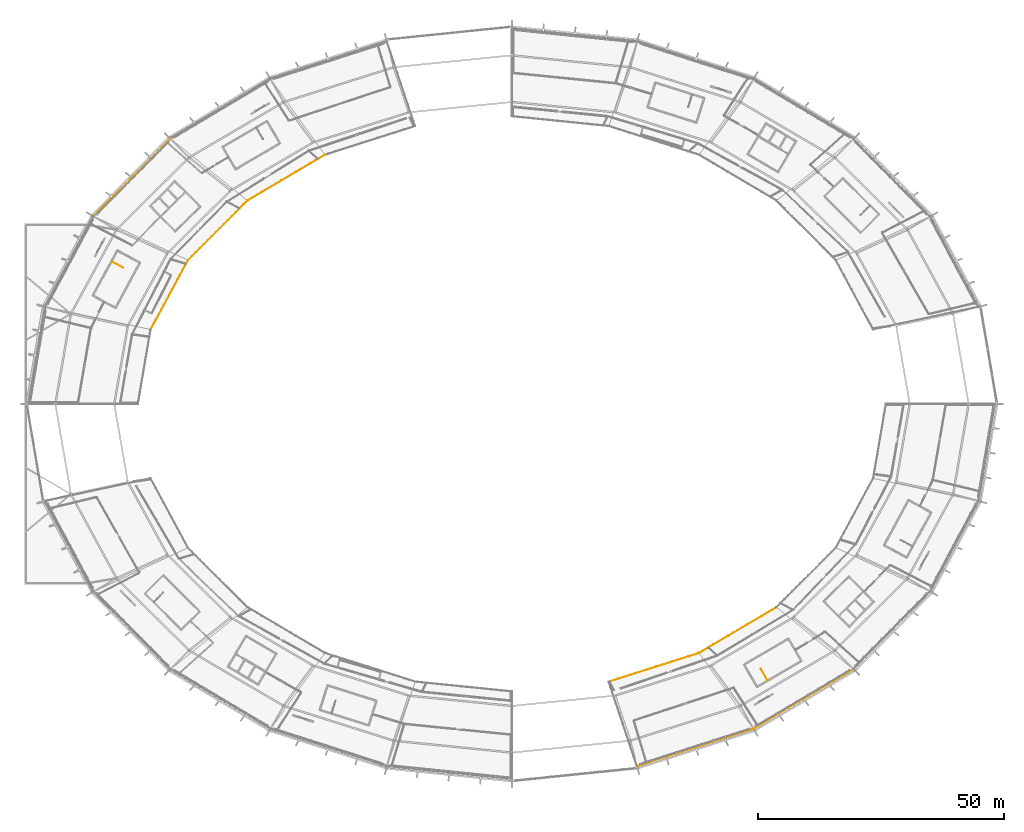
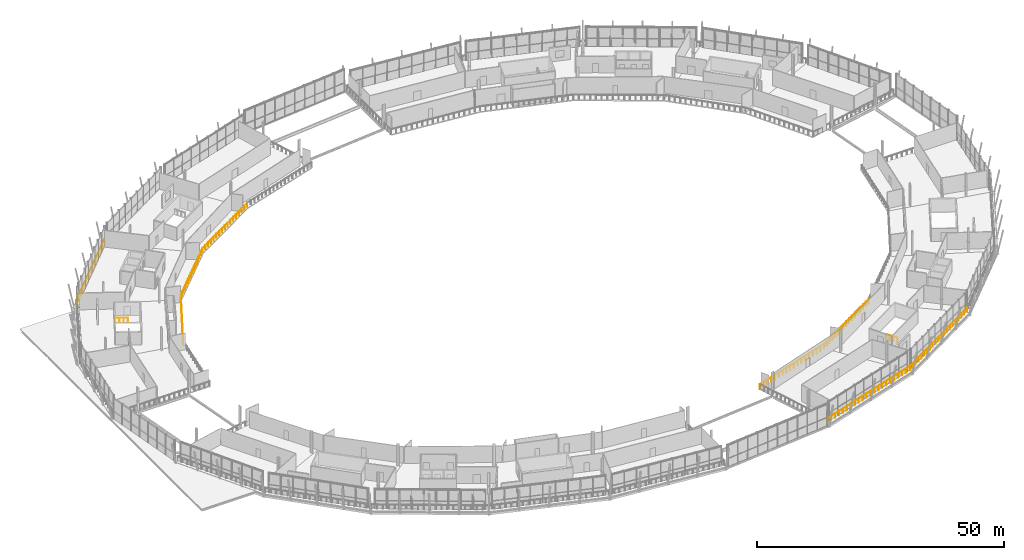
# One storey, part 95 of 99: 10 railings.
"""IFC4 building model written with IfcOpenShell, lengths in metres."""

from ifc_helpers import new_model, si_unit, direction, frame, origin, origin_2d, place, context, subcontext, project, spatial, rectangle, extrude, material, type_object, element, save


model = new_model("IFC4")

# Units and contexts
model_context = context("Model", 3, precision=1e-05, world=origin(), true_north=direction((0.0, 1.0)))
body_context = subcontext(model_context, "Body", "Model", "MODEL_VIEW")
ifc_project = project(units=[si_unit("LENGTHUNIT", "METRE"), si_unit("AREAUNIT", "SQUARE_METRE"), si_unit("VOLUMEUNIT", "CUBIC_METRE"), si_unit("PLANEANGLEUNIT", "RADIAN"), si_unit("MASSUNIT", "GRAM", prefix="KILO")], contexts=[model_context])

# Site, building, storey
site_placement = place(None, origin())
site = spatial("IfcSite", under=ifc_project, at=site_placement, CompositionType="ELEMENT")
building_placement = place(site_placement, origin())
building = spatial("IfcBuilding", under=site, at=building_placement, Name="Zlatoyarsky Gate Stadium", CompositionType="ELEMENT")
storey_placement = place(building_placement, frame((0.0, 0.0, 26.199951171875)))
storey = spatial("IfcBuildingStorey", under=building, at=storey_placement, Name="L05", CompositionType="ELEMENT", Elevation=26.199951171875)

# Railings
ifc_material_1 = material(Name="Powder-coated steel tubular guardrail", Category="steel")
railing_type_1 = type_object("IfcRailingType", Name="CONCOURSE SLAB EDGE GUARDRAIL 1200", PredefinedType="GUARDRAIL", material=ifc_material_1)
railing_1_placement = place(storey_placement, frame((72.909912109375, 130.731689453125, 0.0)))
element("IfcRailing", 1, at=railing_1_placement, inside=storey, type_object=railing_type_1, Name="L05 inner bowl edge guardrail 08", PredefinedType="GUARDRAIL", context=body_context, shape_type="SweptSolid", body=[
    extrude(rectangle(XDim=0.048095703125, YDim=0.048095703125, at=origin_2d()), frame((0.0, 0.0, 1.17578125), z_axis=(-0.861252692378, -0.508176937563, 0.0), x_axis=(0.508176937563, -0.861252692378, 0.0)), (0.0, 0.0, 1.0), 18.319091796875),
    extrude(rectangle(XDim=0.0419921875, YDim=0.0419921875, at=origin_2d()), origin(), (0.0, 0.0, 1.0), 1.15185546875),
    extrude(rectangle(XDim=0.0419921875, YDim=0.0419921875, at=origin_2d()), frame((-0.986083984375, -0.581787109375, 0.0)), (0.0, 0.0, 1.0), 1.15185546875),
    extrude(rectangle(XDim=0.0419921875, YDim=0.0419921875, at=origin_2d()), frame((-1.97216796875, -1.16357421875, 0.0)), (0.0, 0.0, 1.0), 1.15185546875),
    extrude(rectangle(XDim=0.0419921875, YDim=0.0419921875, at=origin_2d()), frame((-2.958251953125, -1.74560546875, 0.0)), (0.0, 0.0, 1.0), 1.15185546875),
    extrude(rectangle(XDim=0.0419921875, YDim=0.0419921875, at=origin_2d()), frame((-3.9443359375, -2.327392578125, 0.0)), (0.0, 0.0, 1.0), 1.15185546875),
    extrude(rectangle(XDim=0.0419921875, YDim=0.0419921875, at=origin_2d()), frame((-4.930419921875, -2.9091796875, 0.0)), (0.0, 0.0, 1.0), 1.15185546875),
    extrude(rectangle(XDim=0.0419921875, YDim=0.0419921875, at=origin_2d()), frame((-5.91650390625, -3.490966796875, 0.0)), (0.0, 0.0, 1.0), 1.15185546875),
    extrude(rectangle(XDim=0.0419921875, YDim=0.0419921875, at=origin_2d()), frame((-6.902587890625, -4.07275390625, 0.0)), (0.0, 0.0, 1.0), 1.15185546875),
    extrude(rectangle(XDim=0.0419921875, YDim=0.0419921875, at=origin_2d()), frame((-7.888671875, -4.65478515625, 0.0)), (0.0, 0.0, 1.0), 1.15185546875),
    extrude(rectangle(XDim=0.0419921875, YDim=0.0419921875, at=origin_2d()), frame((-8.874755859375, -5.236572265625, 0.0)), (0.0, 0.0, 1.0), 1.15185546875),
    extrude(rectangle(XDim=0.0419921875, YDim=0.0419921875, at=origin_2d()), frame((-9.86083984375, -5.818359375, 0.0)), (0.0, 0.0, 1.0), 1.15185546875),
    extrude(rectangle(XDim=0.0419921875, YDim=0.0419921875, at=origin_2d()), frame((-10.846923828125, -6.400146484375, 0.0)), (0.0, 0.0, 1.0), 1.15185546875),
    extrude(rectangle(XDim=0.0419921875, YDim=0.0419921875, at=origin_2d()), frame((-11.8330078125, -6.98193359375, 0.0)), (0.0, 0.0, 1.0), 1.15185546875),
    extrude(rectangle(XDim=0.0419921875, YDim=0.0419921875, at=origin_2d()), frame((-12.819091796875, -7.563720703125, 0.0)), (0.0, 0.0, 1.0), 1.15185546875),
    extrude(rectangle(XDim=0.0419921875, YDim=0.0419921875, at=origin_2d()), frame((-13.80517578125, -8.145751953125, 0.0)), (0.0, 0.0, 1.0), 1.15185546875),
    extrude(rectangle(XDim=0.0419921875, YDim=0.0419921875, at=origin_2d()), frame((-14.791259765625, -8.7275390625, 0.0)), (0.0, 0.0, 1.0), 1.15185546875),
    extrude(rectangle(XDim=0.0419921875, YDim=0.0419921875, at=origin_2d()), frame((-15.77734375, -9.309326171875, 0.0)), (0.0, 0.0, 1.0), 1.15185546875),
])
railing_2_placement = place(storey_placement, frame((57.132568359375, 121.42236328125, 0.0)))
element("IfcRailing", 2, at=railing_2_placement, inside=storey, type_object=railing_type_1, Name="L05 inner bowl edge guardrail 09", PredefinedType="GUARDRAIL", context=body_context, shape_type="SweptSolid", body=[
    extrude(rectangle(XDim=0.048095703125, YDim=0.048095703125, at=origin_2d()), frame((0.0, 0.0, 1.17578125), z_axis=(-0.706351424842, -0.707861331493, 0.0), x_axis=(0.707861331493, -0.706351424842, 0.0)), (0.0, 0.0, 1.0), 17.139404296875),
    extrude(rectangle(XDim=0.0419921875, YDim=0.0419921875, at=origin_2d()), origin(), (0.0, 0.0, 1.0), 1.15185546875),
    extrude(rectangle(XDim=0.0419921875, YDim=0.0419921875, at=origin_2d()), frame((-0.80712890625, -0.808837890625, 0.0)), (0.0, 0.0, 1.0), 1.15185546875),
    extrude(rectangle(XDim=0.0419921875, YDim=0.0419921875, at=origin_2d()), frame((-1.6142578125, -1.61767578125, 0.0)), (0.0, 0.0, 1.0), 1.15185546875),
    extrude(rectangle(XDim=0.0419921875, YDim=0.0419921875, at=origin_2d()), frame((-2.42138671875, -2.426513671875, 0.0)), (0.0, 0.0, 1.0), 1.15185546875),
    extrude(rectangle(XDim=0.0419921875, YDim=0.0419921875, at=origin_2d()), frame((-3.228271484375, -3.2353515625, 0.0)), (0.0, 0.0, 1.0), 1.15185546875),
    extrude(rectangle(XDim=0.0419921875, YDim=0.0419921875, at=origin_2d()), frame((-4.035400390625, -4.044189453125, 0.0)), (0.0, 0.0, 1.0), 1.15185546875),
    extrude(rectangle(XDim=0.0419921875, YDim=0.0419921875, at=origin_2d()), frame((-4.842529296875, -4.85302734375, 0.0)), (0.0, 0.0, 1.0), 1.15185546875),
    extrude(rectangle(XDim=0.0419921875, YDim=0.0419921875, at=origin_2d()), frame((-5.649658203125, -5.661865234375, 0.0)), (0.0, 0.0, 1.0), 1.15185546875),
    extrude(rectangle(XDim=0.0419921875, YDim=0.0419921875, at=origin_2d()), frame((-6.456787109375, -6.470458984375, 0.0)), (0.0, 0.0, 1.0), 1.15185546875),
    extrude(rectangle(XDim=0.0419921875, YDim=0.0419921875, at=origin_2d()), frame((-7.263916015625, -7.279296875, 0.0)), (0.0, 0.0, 1.0), 1.15185546875),
    extrude(rectangle(XDim=0.0419921875, YDim=0.0419921875, at=origin_2d()), frame((-8.071044921875, -8.088134765625, 0.0)), (0.0, 0.0, 1.0), 1.15185546875),
    extrude(rectangle(XDim=0.0419921875, YDim=0.0419921875, at=origin_2d()), frame((-8.878173828125, -8.89697265625, 0.0)), (0.0, 0.0, 1.0), 1.15185546875),
    extrude(rectangle(XDim=0.0419921875, YDim=0.0419921875, at=origin_2d()), frame((-9.68505859375, -9.705810546875, 0.0)), (0.0, 0.0, 1.0), 1.15185546875),
    extrude(rectangle(XDim=0.0419921875, YDim=0.0419921875, at=origin_2d()), frame((-10.4921875, -10.5146484375, 0.0)), (0.0, 0.0, 1.0), 1.15185546875),
    extrude(rectangle(XDim=0.0419921875, YDim=0.0419921875, at=origin_2d()), frame((-11.29931640625, -11.323486328125, 0.0)), (0.0, 0.0, 1.0), 1.15185546875),
    extrude(rectangle(XDim=0.0419921875, YDim=0.0419921875, at=origin_2d()), frame((-12.1064453125, -12.13232421875, 0.0)), (0.0, 0.0, 1.0), 1.15185546875),
])
railing_3_placement = place(storey_placement, frame((45.026123046875, 109.2900390625, 0.0)))
element("IfcRailing", 3, at=railing_3_placement, inside=storey, type_object=railing_type_1, Name="L05 inner bowl edge guardrail 10", PredefinedType="GUARDRAIL", context=body_context, shape_type="SweptSolid", body=[
    extrude(rectangle(XDim=0.048095703125, YDim=0.048095703125, at=origin_2d()), frame((0.0, 0.0, 1.17578125), z_axis=(-0.474232271998, -0.880399768398, 0.0), x_axis=(0.880399768398, -0.474232271998, 0.0)), (0.0, 0.0, 1.0), 16.0478515625),
    extrude(rectangle(XDim=0.0419921875, YDim=0.0419921875, at=origin_2d()), origin(), (0.0, 0.0, 1.0), 1.15185546875),
    extrude(rectangle(XDim=0.0419921875, YDim=0.0419921875, at=origin_2d()), frame((-0.543701171875, -1.00927734375, 0.0)), (0.0, 0.0, 1.0), 1.15185546875),
    extrude(rectangle(XDim=0.0419921875, YDim=0.0419921875, at=origin_2d()), frame((-1.087158203125, -2.018310546875, 0.0)), (0.0, 0.0, 1.0), 1.15185546875),
    extrude(rectangle(XDim=0.0419921875, YDim=0.0419921875, at=origin_2d()), frame((-1.630859375, -3.027587890625, 0.0)), (0.0, 0.0, 1.0), 1.15185546875),
    extrude(rectangle(XDim=0.0419921875, YDim=0.0419921875, at=origin_2d()), frame((-2.17431640625, -4.03662109375, 0.0)), (0.0, 0.0, 1.0), 1.15185546875),
    extrude(rectangle(XDim=0.0419921875, YDim=0.0419921875, at=origin_2d()), frame((-2.718017578125, -5.0458984375, 0.0)), (0.0, 0.0, 1.0), 1.15185546875),
    extrude(rectangle(XDim=0.0419921875, YDim=0.0419921875, at=origin_2d()), frame((-3.261474609375, -6.054931640625, 0.0)), (0.0, 0.0, 1.0), 1.15185546875),
    extrude(rectangle(XDim=0.0419921875, YDim=0.0419921875, at=origin_2d()), frame((-3.80517578125, -7.064208984375, 0.0)), (0.0, 0.0, 1.0), 1.15185546875),
    extrude(rectangle(XDim=0.0419921875, YDim=0.0419921875, at=origin_2d()), frame((-4.348876953125, -8.073486328125, 0.0)), (0.0, 0.0, 1.0), 1.15185546875),
    extrude(rectangle(XDim=0.0419921875, YDim=0.0419921875, at=origin_2d()), frame((-4.892333984375, -9.08251953125, 0.0)), (0.0, 0.0, 1.0), 1.15185546875),
    extrude(rectangle(XDim=0.0419921875, YDim=0.0419921875, at=origin_2d()), frame((-5.43603515625, -10.091796875, 0.0)), (0.0, 0.0, 1.0), 1.15185546875),
    extrude(rectangle(XDim=0.0419921875, YDim=0.0419921875, at=origin_2d()), frame((-5.9794921875, -11.100830078125, 0.0)), (0.0, 0.0, 1.0), 1.15185546875),
    extrude(rectangle(XDim=0.0419921875, YDim=0.0419921875, at=origin_2d()), frame((-6.523193359375, -12.110107421875, 0.0)), (0.0, 0.0, 1.0), 1.15185546875),
    extrude(rectangle(XDim=0.0419921875, YDim=0.0419921875, at=origin_2d()), frame((-7.066650390625, -13.119140625, 0.0)), (0.0, 0.0, 1.0), 1.15185546875),
    extrude(rectangle(XDim=0.0419921875, YDim=0.0419921875, at=origin_2d()), frame((-7.6103515625, -14.12841796875, 0.0)), (0.0, 0.0, 1.0), 1.15185546875),
])
railing_4_placement = place(storey_placement, frame((130.716796875, 23.416015625, 0.0)))
element("IfcRailing", 4, at=railing_4_placement, inside=storey, type_object=railing_type_1, Name="L05 inner bowl edge guardrail 19", PredefinedType="GUARDRAIL", context=body_context, shape_type="SweptSolid", body=[
    extrude(rectangle(XDim=0.048095703125, YDim=0.048095703125, at=origin_2d()), frame((0.0, 0.0, 1.17578125), z_axis=(0.952832118887, 0.303497863612, 0.0), x_axis=(-0.303497863612, 0.952832118887, 0.0)), (0.0, 0.0, 1.0), 19.28271484375),
    extrude(rectangle(XDim=0.0419921875, YDim=0.0419921875, at=origin_2d()), origin(), (0.0, 0.0, 1.0), 1.15185546875),
    extrude(rectangle(XDim=0.0419921875, YDim=0.0419921875, at=origin_2d()), frame((1.080810546875, 0.34423828125, 0.0)), (0.0, 0.0, 1.0), 1.15185546875),
    extrude(rectangle(XDim=0.0419921875, YDim=0.0419921875, at=origin_2d()), frame((2.16162109375, 0.6884765625, 0.0)), (0.0, 0.0, 1.0), 1.15185546875),
    extrude(rectangle(XDim=0.0419921875, YDim=0.0419921875, at=origin_2d()), frame((3.242431640625, 1.03271484375, 0.0)), (0.0, 0.0, 1.0), 1.15185546875),
    extrude(rectangle(XDim=0.0419921875, YDim=0.0419921875, at=origin_2d()), frame((4.3232421875, 1.376953125, 0.0)), (0.0, 0.0, 1.0), 1.15185546875),
    extrude(rectangle(XDim=0.0419921875, YDim=0.0419921875, at=origin_2d()), frame((5.40380859375, 1.72119140625, 0.0)), (0.0, 0.0, 1.0), 1.15185546875),
    extrude(rectangle(XDim=0.0419921875, YDim=0.0419921875, at=origin_2d()), frame((6.484619140625, 2.0654296875, 0.0)), (0.0, 0.0, 1.0), 1.15185546875),
    extrude(rectangle(XDim=0.0419921875, YDim=0.0419921875, at=origin_2d()), frame((7.5654296875, 2.40966796875, 0.0)), (0.0, 0.0, 1.0), 1.15185546875),
    extrude(rectangle(XDim=0.0419921875, YDim=0.0419921875, at=origin_2d()), frame((8.646240234375, 2.75390625, 0.0)), (0.0, 0.0, 1.0), 1.15185546875),
    extrude(rectangle(XDim=0.0419921875, YDim=0.0419921875, at=origin_2d()), frame((9.72705078125, 3.098388671875, 0.0)), (0.0, 0.0, 1.0), 1.15185546875),
    extrude(rectangle(XDim=0.0419921875, YDim=0.0419921875, at=origin_2d()), frame((10.807861328125, 3.442626953125, 0.0)), (0.0, 0.0, 1.0), 1.15185546875),
    extrude(rectangle(XDim=0.0419921875, YDim=0.0419921875, at=origin_2d()), frame((11.888671875, 3.786865234375, 0.0)), (0.0, 0.0, 1.0), 1.15185546875),
    extrude(rectangle(XDim=0.0419921875, YDim=0.0419921875, at=origin_2d()), frame((12.969482421875, 4.131103515625, 0.0)), (0.0, 0.0, 1.0), 1.15185546875),
    extrude(rectangle(XDim=0.0419921875, YDim=0.0419921875, at=origin_2d()), frame((14.050048828125, 4.475341796875, 0.0)), (0.0, 0.0, 1.0), 1.15185546875),
    extrude(rectangle(XDim=0.0419921875, YDim=0.0419921875, at=origin_2d()), frame((15.130859375, 4.819580078125, 0.0)), (0.0, 0.0, 1.0), 1.15185546875),
    extrude(rectangle(XDim=0.0419921875, YDim=0.0419921875, at=origin_2d()), frame((16.211669921875, 5.163818359375, 0.0)), (0.0, 0.0, 1.0), 1.15185546875),
    extrude(rectangle(XDim=0.0419921875, YDim=0.0419921875, at=origin_2d()), frame((17.29248046875, 5.508056640625, 0.0)), (0.0, 0.0, 1.0), 1.15185546875),
    extrude(rectangle(XDim=0.0419921875, YDim=0.0419921875, at=origin_2d()), frame((18.373291015625, 5.852294921875, 0.0)), (0.0, 0.0, 1.0), 1.15185546875),
])
railing_5_placement = place(storey_placement, frame((149.090087890625, 29.268310546875, 0.0)))
element("IfcRailing", 5, at=railing_5_placement, inside=storey, type_object=railing_type_1, Name="L05 inner bowl edge guardrail 20", PredefinedType="GUARDRAIL", context=body_context, shape_type="SweptSolid", body=[
    extrude(rectangle(XDim=0.048095703125, YDim=0.048095703125, at=origin_2d()), frame((0.0, 0.0, 1.17578125), z_axis=(0.861252692378, 0.508176937563, 0.0), x_axis=(-0.508176937563, 0.861252692378, 0.0)), (0.0, 0.0, 1.0), 18.319091796875),
    extrude(rectangle(XDim=0.0419921875, YDim=0.0419921875, at=origin_2d()), origin(), (0.0, 0.0, 1.0), 1.15185546875),
    extrude(rectangle(XDim=0.0419921875, YDim=0.0419921875, at=origin_2d()), frame((0.986083984375, 0.581787109375, 0.0)), (0.0, 0.0, 1.0), 1.15185546875),
    extrude(rectangle(XDim=0.0419921875, YDim=0.0419921875, at=origin_2d()), frame((1.97216796875, 1.16357421875, 0.0)), (0.0, 0.0, 1.0), 1.15185546875),
    extrude(rectangle(XDim=0.0419921875, YDim=0.0419921875, at=origin_2d()), frame((2.958251953125, 1.74560546875, 0.0)), (0.0, 0.0, 1.0), 1.15185546875),
    extrude(rectangle(XDim=0.0419921875, YDim=0.0419921875, at=origin_2d()), frame((3.9443359375, 2.327392578125, 0.0)), (0.0, 0.0, 1.0), 1.15185546875),
    extrude(rectangle(XDim=0.0419921875, YDim=0.0419921875, at=origin_2d()), frame((4.930419921875, 2.9091796875, 0.0)), (0.0, 0.0, 1.0), 1.15185546875),
    extrude(rectangle(XDim=0.0419921875, YDim=0.0419921875, at=origin_2d()), frame((5.91650390625, 3.490966796875, 0.0)), (0.0, 0.0, 1.0), 1.15185546875),
    extrude(rectangle(XDim=0.0419921875, YDim=0.0419921875, at=origin_2d()), frame((6.902587890625, 4.07275390625, 0.0)), (0.0, 0.0, 1.0), 1.15185546875),
    extrude(rectangle(XDim=0.0419921875, YDim=0.0419921875, at=origin_2d()), frame((7.888671875, 4.65478515625, 0.0)), (0.0, 0.0, 1.0), 1.15185546875),
    extrude(rectangle(XDim=0.0419921875, YDim=0.0419921875, at=origin_2d()), frame((8.874755859375, 5.236572265625, 0.0)), (0.0, 0.0, 1.0), 1.15185546875),
    extrude(rectangle(XDim=0.0419921875, YDim=0.0419921875, at=origin_2d()), frame((9.86083984375, 5.818359375, 0.0)), (0.0, 0.0, 1.0), 1.15185546875),
    extrude(rectangle(XDim=0.0419921875, YDim=0.0419921875, at=origin_2d()), frame((10.846923828125, 6.400146484375, 0.0)), (0.0, 0.0, 1.0), 1.15185546875),
    extrude(rectangle(XDim=0.0419921875, YDim=0.0419921875, at=origin_2d()), frame((11.8330078125, 6.98193359375, 0.0)), (0.0, 0.0, 1.0), 1.15185546875),
    extrude(rectangle(XDim=0.0419921875, YDim=0.0419921875, at=origin_2d()), frame((12.819091796875, 7.563720703125, 0.0)), (0.0, 0.0, 1.0), 1.15185546875),
    extrude(rectangle(XDim=0.0419921875, YDim=0.0419921875, at=origin_2d()), frame((13.80517578125, 8.145751953125, 0.0)), (0.0, 0.0, 1.0), 1.15185546875),
    extrude(rectangle(XDim=0.0419921875, YDim=0.0419921875, at=origin_2d()), frame((14.791259765625, 8.7275390625, 0.0)), (0.0, 0.0, 1.0), 1.15185546875),
    extrude(rectangle(XDim=0.0419921875, YDim=0.0419921875, at=origin_2d()), frame((15.77734375, 9.309326171875, 0.0)), (0.0, 0.0, 1.0), 1.15185546875),
])
railing_6_placement = place(storey_placement, frame((41.436279296875, 134.007568359375, 0.0)))
element("IfcRailing", 6, at=railing_6_placement, inside=storey, type_object=railing_type_1, Name="L05 outer slab edge guardrail 09", PredefinedType="GUARDRAIL", context=body_context, shape_type="SweptSolid", body=[
    extrude(rectangle(XDim=0.048095703125, YDim=0.048095703125, at=origin_2d()), frame((0.0, 0.0, 1.17578125), z_axis=(-0.70295078812, -0.711238489876, 0.0), x_axis=(0.711238489876, -0.70295078812, 0.0)), (0.0, 0.0, 1.0), 22.240966796875),
    extrude(rectangle(XDim=0.0419921875, YDim=0.0419921875, at=origin_2d()), origin(), (0.0, 0.0, 1.0), 1.15185546875),
    extrude(rectangle(XDim=0.0419921875, YDim=0.0419921875, at=origin_2d()), frame((-0.82275390625, -0.83251953125, 0.0)), (0.0, 0.0, 1.0), 1.15185546875),
    extrude(rectangle(XDim=0.0419921875, YDim=0.0419921875, at=origin_2d()), frame((-1.645751953125, -1.6650390625, 0.0)), (0.0, 0.0, 1.0), 1.15185546875),
    extrude(rectangle(XDim=0.0419921875, YDim=0.0419921875, at=origin_2d()), frame((-2.468505859375, -2.49755859375, 0.0)), (0.0, 0.0, 1.0), 1.15185546875),
    extrude(rectangle(XDim=0.0419921875, YDim=0.0419921875, at=origin_2d()), frame((-3.29150390625, -3.330322265625, 0.0)), (0.0, 0.0, 1.0), 1.15185546875),
    extrude(rectangle(XDim=0.0419921875, YDim=0.0419921875, at=origin_2d()), frame((-4.1142578125, -4.162841796875, 0.0)), (0.0, 0.0, 1.0), 1.15185546875),
    extrude(rectangle(XDim=0.0419921875, YDim=0.0419921875, at=origin_2d()), frame((-4.937255859375, -4.995361328125, 0.0)), (0.0, 0.0, 1.0), 1.15185546875),
    extrude(rectangle(XDim=0.0419921875, YDim=0.0419921875, at=origin_2d()), frame((-5.760009765625, -5.827880859375, 0.0)), (0.0, 0.0, 1.0), 1.15185546875),
    extrude(rectangle(XDim=0.0419921875, YDim=0.0419921875, at=origin_2d()), frame((-6.582763671875, -6.660400390625, 0.0)), (0.0, 0.0, 1.0), 1.15185546875),
    extrude(rectangle(XDim=0.0419921875, YDim=0.0419921875, at=origin_2d()), frame((-7.40576171875, -7.492919921875, 0.0)), (0.0, 0.0, 1.0), 1.15185546875),
    extrude(rectangle(XDim=0.0419921875, YDim=0.0419921875, at=origin_2d()), frame((-8.228515625, -8.32568359375, 0.0)), (0.0, 0.0, 1.0), 1.15185546875),
    extrude(rectangle(XDim=0.0419921875, YDim=0.0419921875, at=origin_2d()), frame((-9.051513671875, -9.158203125, 0.0)), (0.0, 0.0, 1.0), 1.15185546875),
    extrude(rectangle(XDim=0.0419921875, YDim=0.0419921875, at=origin_2d()), frame((-9.874267578125, -9.99072265625, 0.0)), (0.0, 0.0, 1.0), 1.15185546875),
    extrude(rectangle(XDim=0.0419921875, YDim=0.0419921875, at=origin_2d()), frame((-10.697021484375, -10.8232421875, 0.0)), (0.0, 0.0, 1.0), 1.15185546875),
    extrude(rectangle(XDim=0.0419921875, YDim=0.0419921875, at=origin_2d()), frame((-11.52001953125, -11.65576171875, 0.0)), (0.0, 0.0, 1.0), 1.15185546875),
    extrude(rectangle(XDim=0.0419921875, YDim=0.0419921875, at=origin_2d()), frame((-12.3427734375, -12.48828125, 0.0)), (0.0, 0.0, 1.0), 1.15185546875),
    extrude(rectangle(XDim=0.0419921875, YDim=0.0419921875, at=origin_2d()), frame((-13.165771484375, -13.321044921875, 0.0)), (0.0, 0.0, 1.0), 1.15185546875),
    extrude(rectangle(XDim=0.0419921875, YDim=0.0419921875, at=origin_2d()), frame((-13.988525390625, -14.153564453125, 0.0)), (0.0, 0.0, 1.0), 1.15185546875),
    extrude(rectangle(XDim=0.0419921875, YDim=0.0419921875, at=origin_2d()), frame((-14.8115234375, -14.986083984375, 0.0)), (0.0, 0.0, 1.0), 1.15185546875),
    extrude(rectangle(XDim=0.0419921875, YDim=0.0419921875, at=origin_2d()), frame((-15.63427734375, -15.818603515625, 0.0)), (0.0, 0.0, 1.0), 1.15185546875),
])
railing_7_placement = place(storey_placement, frame((136.462158203125, 6.224365234375, 0.0)))
element("IfcRailing", 7, at=railing_7_placement, inside=storey, type_object=railing_type_1, Name="L05 outer slab edge guardrail 19", PredefinedType="GUARDRAIL", context=body_context, shape_type="SweptSolid", body=[
    extrude(rectangle(XDim=0.048095703125, YDim=0.048095703125, at=origin_2d()), frame((0.0, 0.0, 1.17578125), z_axis=(0.951986765768, 0.306139180443, 0.0), x_axis=(-0.306139180443, 0.951986765768, 0.0)), (0.0, 0.0, 1.0), 24.923828125),
    extrude(rectangle(XDim=0.0419921875, YDim=0.0419921875, at=origin_2d()), origin(), (0.0, 0.0, 1.0), 1.15185546875),
    extrude(rectangle(XDim=0.0419921875, YDim=0.0419921875, at=origin_2d()), frame((1.1298828125, 0.36328125, 0.0)), (0.0, 0.0, 1.0), 1.15185546875),
    extrude(rectangle(XDim=0.0419921875, YDim=0.0419921875, at=origin_2d()), frame((2.259765625, 0.7265625, 0.0)), (0.0, 0.0, 1.0), 1.15185546875),
    extrude(rectangle(XDim=0.0419921875, YDim=0.0419921875, at=origin_2d()), frame((3.3896484375, 1.090087890625, 0.0)), (0.0, 0.0, 1.0), 1.15185546875),
    extrude(rectangle(XDim=0.0419921875, YDim=0.0419921875, at=origin_2d()), frame((4.51953125, 1.453369140625, 0.0)), (0.0, 0.0, 1.0), 1.15185546875),
    extrude(rectangle(XDim=0.0419921875, YDim=0.0419921875, at=origin_2d()), frame((5.6494140625, 1.816650390625, 0.0)), (0.0, 0.0, 1.0), 1.15185546875),
    extrude(rectangle(XDim=0.0419921875, YDim=0.0419921875, at=origin_2d()), frame((6.779052734375, 2.179931640625, 0.0)), (0.0, 0.0, 1.0), 1.15185546875),
    extrude(rectangle(XDim=0.0419921875, YDim=0.0419921875, at=origin_2d()), frame((7.908935546875, 2.54345703125, 0.0)), (0.0, 0.0, 1.0), 1.15185546875),
    extrude(rectangle(XDim=0.0419921875, YDim=0.0419921875, at=origin_2d()), frame((9.038818359375, 2.90673828125, 0.0)), (0.0, 0.0, 1.0), 1.15185546875),
    extrude(rectangle(XDim=0.0419921875, YDim=0.0419921875, at=origin_2d()), frame((10.168701171875, 3.27001953125, 0.0)), (0.0, 0.0, 1.0), 1.15185546875),
    extrude(rectangle(XDim=0.0419921875, YDim=0.0419921875, at=origin_2d()), frame((11.298583984375, 3.63330078125, 0.0)), (0.0, 0.0, 1.0), 1.15185546875),
    extrude(rectangle(XDim=0.0419921875, YDim=0.0419921875, at=origin_2d()), frame((12.428466796875, 3.996826171875, 0.0)), (0.0, 0.0, 1.0), 1.15185546875),
    extrude(rectangle(XDim=0.0419921875, YDim=0.0419921875, at=origin_2d()), frame((13.558349609375, 4.360107421875, 0.0)), (0.0, 0.0, 1.0), 1.15185546875),
    extrude(rectangle(XDim=0.0419921875, YDim=0.0419921875, at=origin_2d()), frame((14.688232421875, 4.723388671875, 0.0)), (0.0, 0.0, 1.0), 1.15185546875),
    extrude(rectangle(XDim=0.0419921875, YDim=0.0419921875, at=origin_2d()), frame((15.818115234375, 5.086669921875, 0.0)), (0.0, 0.0, 1.0), 1.15185546875),
    extrude(rectangle(XDim=0.0419921875, YDim=0.0419921875, at=origin_2d()), frame((16.947998046875, 5.4501953125, 0.0)), (0.0, 0.0, 1.0), 1.15185546875),
    extrude(rectangle(XDim=0.0419921875, YDim=0.0419921875, at=origin_2d()), frame((18.07763671875, 5.8134765625, 0.0)), (0.0, 0.0, 1.0), 1.15185546875),
    extrude(rectangle(XDim=0.0419921875, YDim=0.0419921875, at=origin_2d()), frame((19.20751953125, 6.1767578125, 0.0)), (0.0, 0.0, 1.0), 1.15185546875),
    extrude(rectangle(XDim=0.0419921875, YDim=0.0419921875, at=origin_2d()), frame((20.33740234375, 6.5400390625, 0.0)), (0.0, 0.0, 1.0), 1.15185546875),
    extrude(rectangle(XDim=0.0419921875, YDim=0.0419921875, at=origin_2d()), frame((21.46728515625, 6.903564453125, 0.0)), (0.0, 0.0, 1.0), 1.15185546875),
    extrude(rectangle(XDim=0.0419921875, YDim=0.0419921875, at=origin_2d()), frame((22.59716796875, 7.266845703125, 0.0)), (0.0, 0.0, 1.0), 1.15185546875),
    extrude(rectangle(XDim=0.0419921875, YDim=0.0419921875, at=origin_2d()), frame((23.72705078125, 7.630126953125, 0.0)), (0.0, 0.0, 1.0), 1.15185546875),
])
railing_8_placement = place(storey_placement, frame((160.189208984375, 13.8544921875, 0.0)))
element("IfcRailing", 8, at=railing_8_placement, inside=storey, type_object=railing_type_1, Name="L05 outer slab edge guardrail 20", PredefinedType="GUARDRAIL", context=body_context, shape_type="SweptSolid", body=[
    extrude(rectangle(XDim=0.048095703125, YDim=0.048095703125, at=origin_2d()), frame((0.0, 0.0, 1.17578125), z_axis=(0.859102795872, 0.511803073578, 0.0), x_axis=(-0.511803073578, 0.859102795872, 0.0)), (0.0, 0.0, 1.0), 23.716064453125),
    extrude(rectangle(XDim=0.0419921875, YDim=0.0419921875, at=origin_2d()), origin(), (0.0, 0.0, 1.0), 1.15185546875),
    extrude(rectangle(XDim=0.0419921875, YDim=0.0419921875, at=origin_2d()), frame((1.018798828125, 0.60693359375, 0.0)), (0.0, 0.0, 1.0), 1.15185546875),
    extrude(rectangle(XDim=0.0419921875, YDim=0.0419921875, at=origin_2d()), frame((2.037353515625, 1.2138671875, 0.0)), (0.0, 0.0, 1.0), 1.15185546875),
    extrude(rectangle(XDim=0.0419921875, YDim=0.0419921875, at=origin_2d()), frame((3.05615234375, 1.82080078125, 0.0)), (0.0, 0.0, 1.0), 1.15185546875),
    extrude(rectangle(XDim=0.0419921875, YDim=0.0419921875, at=origin_2d()), frame((4.074951171875, 2.427490234375, 0.0)), (0.0, 0.0, 1.0), 1.15185546875),
    extrude(rectangle(XDim=0.0419921875, YDim=0.0419921875, at=origin_2d()), frame((5.09375, 3.034423828125, 0.0)), (0.0, 0.0, 1.0), 1.15185546875),
    extrude(rectangle(XDim=0.0419921875, YDim=0.0419921875, at=origin_2d()), frame((6.1123046875, 3.641357421875, 0.0)), (0.0, 0.0, 1.0), 1.15185546875),
    extrude(rectangle(XDim=0.0419921875, YDim=0.0419921875, at=origin_2d()), frame((7.131103515625, 4.248291015625, 0.0)), (0.0, 0.0, 1.0), 1.15185546875),
    extrude(rectangle(XDim=0.0419921875, YDim=0.0419921875, at=origin_2d()), frame((8.14990234375, 4.855224609375, 0.0)), (0.0, 0.0, 1.0), 1.15185546875),
    extrude(rectangle(XDim=0.0419921875, YDim=0.0419921875, at=origin_2d()), frame((9.16845703125, 5.462158203125, 0.0)), (0.0, 0.0, 1.0), 1.15185546875),
    extrude(rectangle(XDim=0.0419921875, YDim=0.0419921875, at=origin_2d()), frame((10.187255859375, 6.06884765625, 0.0)), (0.0, 0.0, 1.0), 1.15185546875),
    extrude(rectangle(XDim=0.0419921875, YDim=0.0419921875, at=origin_2d()), frame((11.2060546875, 6.67578125, 0.0)), (0.0, 0.0, 1.0), 1.15185546875),
    extrude(rectangle(XDim=0.0419921875, YDim=0.0419921875, at=origin_2d()), frame((12.224609375, 7.28271484375, 0.0)), (0.0, 0.0, 1.0), 1.15185546875),
    extrude(rectangle(XDim=0.0419921875, YDim=0.0419921875, at=origin_2d()), frame((13.243408203125, 7.8896484375, 0.0)), (0.0, 0.0, 1.0), 1.15185546875),
    extrude(rectangle(XDim=0.0419921875, YDim=0.0419921875, at=origin_2d()), frame((14.26220703125, 8.49658203125, 0.0)), (0.0, 0.0, 1.0), 1.15185546875),
    extrude(rectangle(XDim=0.0419921875, YDim=0.0419921875, at=origin_2d()), frame((15.28076171875, 9.103515625, 0.0)), (0.0, 0.0, 1.0), 1.15185546875),
    extrude(rectangle(XDim=0.0419921875, YDim=0.0419921875, at=origin_2d()), frame((16.299560546875, 9.71044921875, 0.0)), (0.0, 0.0, 1.0), 1.15185546875),
    extrude(rectangle(XDim=0.0419921875, YDim=0.0419921875, at=origin_2d()), frame((17.318359375, 10.317138671875, 0.0)), (0.0, 0.0, 1.0), 1.15185546875),
    extrude(rectangle(XDim=0.0419921875, YDim=0.0419921875, at=origin_2d()), frame((18.337158203125, 10.924072265625, 0.0)), (0.0, 0.0, 1.0), 1.15185546875),
    extrude(rectangle(XDim=0.0419921875, YDim=0.0419921875, at=origin_2d()), frame((19.355712890625, 11.531005859375, 0.0)), (0.0, 0.0, 1.0), 1.15185546875),
    extrude(rectangle(XDim=0.0419921875, YDim=0.0419921875, at=origin_2d()), frame((20.37451171875, 12.137939453125, 0.0)), (0.0, 0.0, 1.0), 1.15185546875),
])
ifc_material_2 = material(Name="Powder-coated steel stair guardrail", Category="steel")
railing_type_2 = type_object("IfcRailingType", Name="PAINTED STEEL STAIR WELL GUARDRAIL 1150", PredefinedType="GUARDRAIL", material=ifc_material_2)
railing_9_placement = place(storey_placement, frame((29.52099609375, 108.98974609375, 0.0)))
element("IfcRailing", 9, at=railing_9_placement, inside=storey, type_object=railing_type_2, Name="ST-06 L05 top well guard 1", PredefinedType="GUARDRAIL", context=body_context, shape_type="SweptSolid", body=[
    extrude(rectangle(XDim=0.048095703125, YDim=0.048095703125, at=origin_2d()), frame((0.0, 0.0, 1.1259765625), z_axis=(0.878937789073, -0.476936434904, 0.0), x_axis=(0.476936434904, 0.878937789073, 0.0)), (0.0, 0.0, 1.0), 2.599853515625),
    extrude(rectangle(XDim=0.0419921875, YDim=0.0419921875, at=origin_2d()), origin(), (0.0, 0.0, 1.0), 1.101806640625),
    extrude(rectangle(XDim=0.0419921875, YDim=0.0419921875, at=origin_2d()), frame((0.76171875, -0.413330078125, 0.0)), (0.0, 0.0, 1.0), 1.101806640625),
    extrude(rectangle(XDim=0.0419921875, YDim=0.0419921875, at=origin_2d()), frame((1.5234375, -0.82666015625, 0.0)), (0.0, 0.0, 1.0), 1.101806640625),
    extrude(rectangle(XDim=0.0419921875, YDim=0.0419921875, at=origin_2d()), frame((2.28515625, -1.239990234375, 0.0)), (0.0, 0.0, 1.0), 1.101806640625),
])
railing_10_placement = place(storey_placement, frame((163.0224609375, 23.770263671875, 0.0)))
element("IfcRailing", 10, at=railing_10_placement, inside=storey, type_object=railing_type_2, Name="ST-11 L05 top well guard 1", PredefinedType="GUARDRAIL", context=body_context, shape_type="SweptSolid", body=[
    extrude(rectangle(XDim=0.048095703125, YDim=0.048095703125, at=origin_2d()), frame((0.0, 0.0, 1.1259765625), z_axis=(-0.505464036135, 0.862847673796, 0.0), x_axis=(-0.862847673796, -0.505464036135, 0.0)), (0.0, 0.0, 1.0), 2.60009765625),
    extrude(rectangle(XDim=0.0419921875, YDim=0.0419921875, at=origin_2d()), origin(), (0.0, 0.0, 1.0), 1.101806640625),
    extrude(rectangle(XDim=0.0419921875, YDim=0.0419921875, at=origin_2d()), frame((-0.43798828125, 0.747802734375, 0.0)), (0.0, 0.0, 1.0), 1.101806640625),
    extrude(rectangle(XDim=0.0419921875, YDim=0.0419921875, at=origin_2d()), frame((-0.876220703125, 1.49560546875, 0.0)), (0.0, 0.0, 1.0), 1.101806640625),
    extrude(rectangle(XDim=0.0419921875, YDim=0.0419921875, at=origin_2d()), frame((-1.314208984375, 2.243408203125, 0.0)), (0.0, 0.0, 1.0), 1.101806640625),
])

save(model, "model.ifc")
